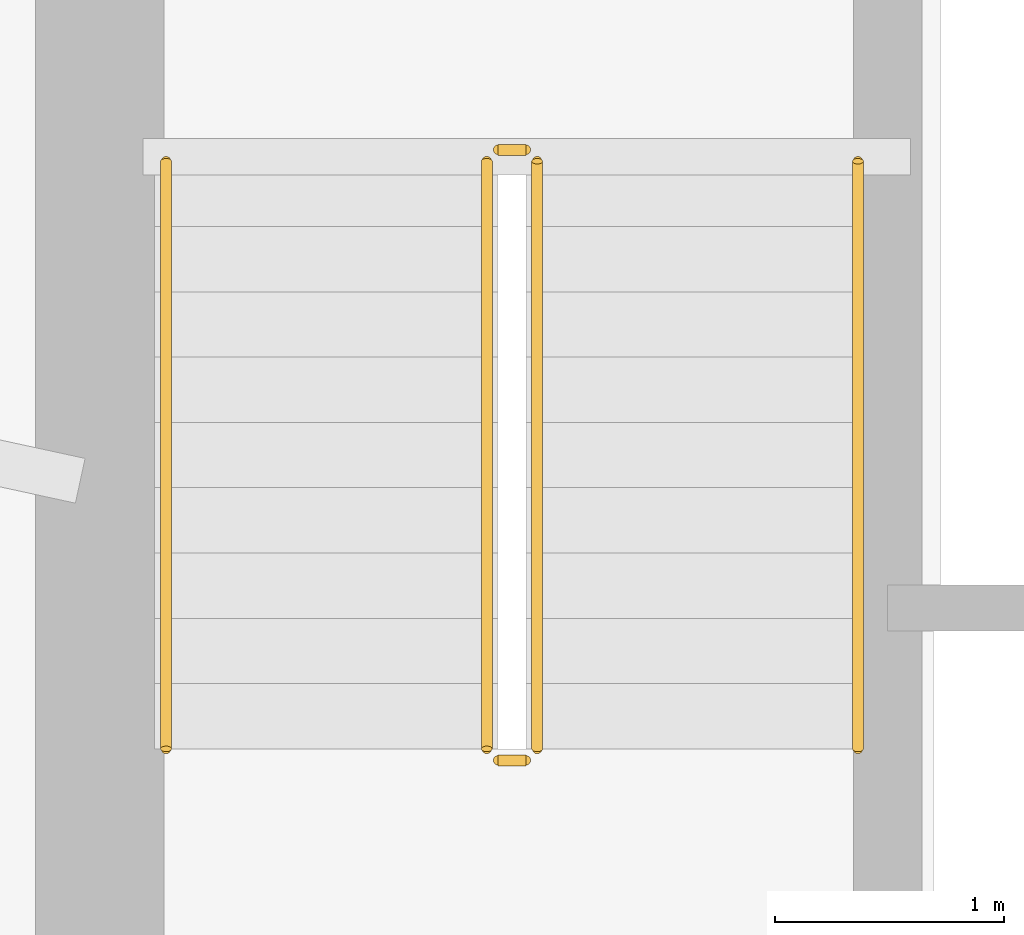
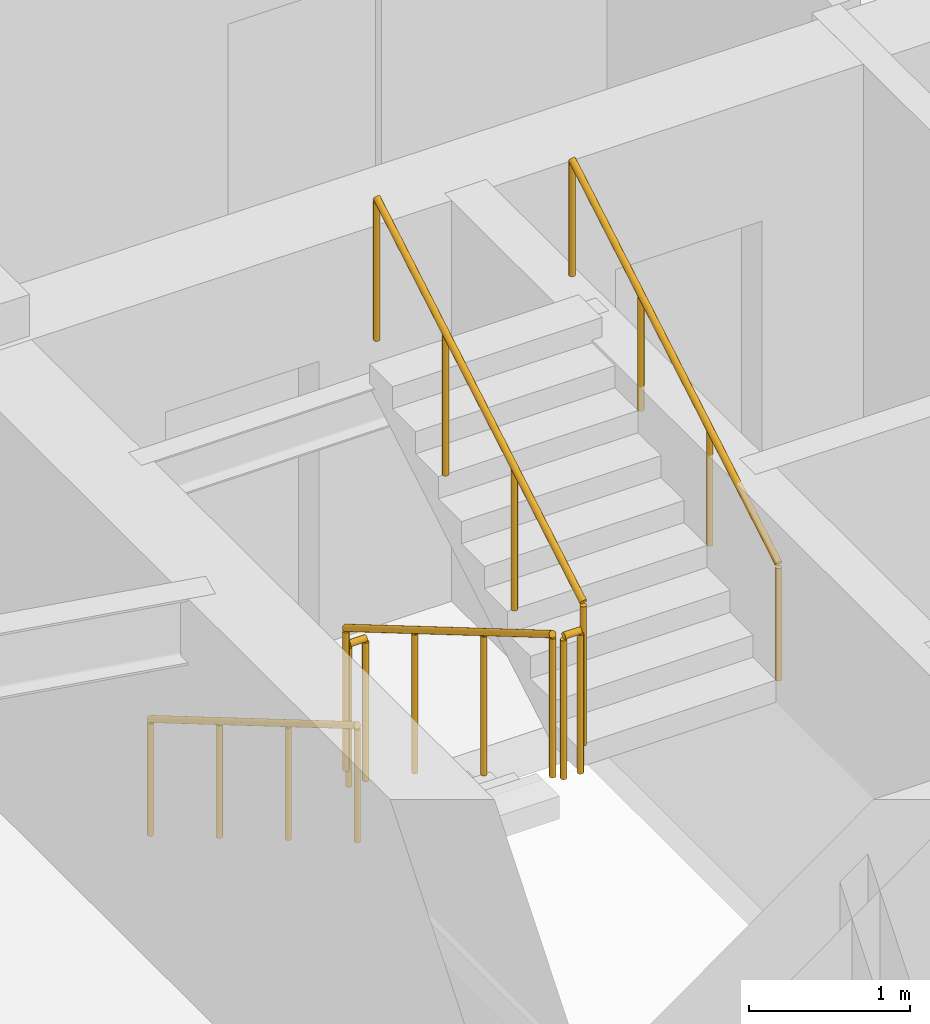
# One storey, part 20 of 22: 6 railings.
"""IFC4 building model written with IfcOpenShell, lengths in metres."""

from ifc_helpers import new_model, si_unit, direction, frame, origin, origin_2d, place, context, subcontext, project, spatial, circle, extrude, material, type_object, element, save


model = new_model("IFC4")

# Units and contexts
model_context = context("Model", 3, precision=1e-05, world=origin(), true_north=direction((0.0, 1.0)))
body_context = subcontext(model_context, "Body", "Model", "MODEL_VIEW")
ifc_project = project(units=[si_unit("LENGTHUNIT", "METRE"), si_unit("AREAUNIT", "SQUARE_METRE"), si_unit("VOLUMEUNIT", "CUBIC_METRE"), si_unit("PLANEANGLEUNIT", "RADIAN"), si_unit("MASSUNIT", "GRAM", prefix="KILO")], contexts=[model_context])

# Site, building, storey
site_placement = place(None, origin())
site = spatial("IfcSite", under=ifc_project, at=site_placement, CompositionType="ELEMENT")
building_placement = place(site_placement, origin())
building = spatial("IfcBuilding", under=site, at=building_placement, Name="Qobustan Lattice House", CompositionType="ELEMENT")
storey_placement = place(building_placement, frame((0.0, 0.0, 60.5)))
storey = spatial("IfcBuildingStorey", under=building, at=storey_placement, Name="L16", CompositionType="ELEMENT", Elevation=60.5)

# Railings
ifc_material_1 = material(Name="Brushed stainless steel handrail", Category="steel")
railing_type_1 = type_object("IfcRailingType", Name="RAL-HR-920", PredefinedType="HANDRAIL", material=ifc_material_1)
railing_1_placement = place(storey_placement, frame((-18.199951171875, 3.5, 0.16748046875)))
element("IfcRailing", 1, at=railing_1_placement, inside=storey, type_object=railing_type_1, Name="L16 ST-W1 stair handrail 1", PredefinedType="HANDRAIL", context=body_context, shape_type="SweptSolid", body=[
    extrude(circle(Radius=0.02392578125, at=origin_2d()), frame((0.0, 0.0, 0.8759765625), z_axis=(0.0, -0.862113467892, 0.50671527358), x_axis=(1.0, 0.0, 0.0)), (0.0, 0.0, 1.0), 2.97509765625),
    extrude(circle(Radius=0.02099609375, at=origin_2d()), origin(), (0.0, 0.0, 1.0), 0.851806640625),
    extrude(circle(Radius=0.02099609375, at=origin_2d()), frame((0.0, -0.85498046875, 0.50244140625)), (0.0, 0.0, 1.0), 0.851806640625),
    extrude(circle(Radius=0.02099609375, at=origin_2d()), frame((0.0, -1.7099609375, 1.005126953125)), (0.0, 0.0, 1.0), 0.851806640625),
    extrude(circle(Radius=0.02099609375, at=origin_2d()), frame((0.0, -2.56494140625, 1.507568359375)), (0.0, 0.0, 1.0), 0.851806640625),
])
railing_2_placement = place(storey_placement, frame((-15.179931640625, 0.93505859375, 1.842529296875)))
element("IfcRailing", 2, at=railing_2_placement, inside=storey, type_object=railing_type_1, Name="L16 ST-W1 stair handrail 2", PredefinedType="HANDRAIL", context=body_context, shape_type="SweptSolid", body=[
    extrude(circle(Radius=0.02392578125, at=origin_2d()), frame((0.0, 0.0, 0.8759765625), z_axis=(0.0, 0.862113467892, 0.50671527358), x_axis=(-1.0, 0.0, 0.0)), (0.0, 0.0, 1.0), 2.97509765625),
    extrude(circle(Radius=0.02099609375, at=origin_2d()), origin(), (0.0, 0.0, 1.0), 0.851806640625),
    extrude(circle(Radius=0.02099609375, at=origin_2d()), frame((0.0, 0.85498046875, 0.50244140625)), (0.0, 0.0, 1.0), 0.851806640625),
    extrude(circle(Radius=0.02099609375, at=origin_2d()), frame((0.0, 1.7099609375, 1.005126953125)), (0.0, 0.0, 1.0), 0.851806640625),
    extrude(circle(Radius=0.02099609375, at=origin_2d()), frame((0.0, 2.56494140625, 1.507568359375)), (0.0, 0.0, 1.0), 0.851806640625),
])
ifc_material_2 = material(Name="Painted galvanized steel guardrail", Category="steel")
railing_type_2 = type_object("IfcRailingType", Name="RAL-STG-1150", PredefinedType="GUARDRAIL", material=ifc_material_2)
railing_3_placement = place(storey_placement, frame((-16.800048828125, 3.5, 0.16748046875)))
element("IfcRailing", 3, at=railing_3_placement, inside=storey, type_object=railing_type_2, Name="L16 ST-W1 stair guard 1", PredefinedType="GUARDRAIL", context=body_context, shape_type="SweptSolid", body=[
    extrude(circle(Radius=0.02392578125, at=origin_2d()), frame((0.0, 0.0, 1.076171875), z_axis=(0.0, -0.862113467892, 0.50671527358), x_axis=(1.0, 0.0, 0.0)), (0.0, 0.0, 1.0), 2.97509765625),
    extrude(circle(Radius=0.02099609375, at=origin_2d()), origin(), (0.0, 0.0, 1.0), 1.052001953125),
    extrude(circle(Radius=0.02099609375, at=origin_2d()), frame((0.0, -0.85498046875, 0.50244140625)), (0.0, 0.0, 1.0), 1.052001953125),
    extrude(circle(Radius=0.02099609375, at=origin_2d()), frame((0.0, -1.7099609375, 1.005126953125)), (0.0, 0.0, 1.0), 1.052001953125),
    extrude(circle(Radius=0.02099609375, at=origin_2d()), frame((0.0, -2.56494140625, 1.507568359375)), (0.0, 0.0, 1.0), 1.052001953125),
])
railing_4_placement = place(storey_placement, frame((-16.75, 0.885009765625, 1.675048828125)))
element("IfcRailing", 4, at=railing_4_placement, inside=storey, type_object=railing_type_2, Name="L16 ST-W1 stair guard 2", PredefinedType="GUARDRAIL", context=body_context, shape_type="SweptSolid", body=[
    extrude(circle(Radius=0.02392578125, at=origin_2d()), frame((0.0, 0.0, 1.076171875), z_axis=(1.0, 0.0, 0.0), x_axis=(0.0, 1.0, 0.0)), (0.0, 0.0, 1.0), 0.1201171875),
    extrude(circle(Radius=0.02099609375, at=origin_2d()), origin(), (0.0, 0.0, 1.0), 1.052001953125),
    extrude(circle(Radius=0.02099609375, at=origin_2d()), frame((0.1201171875, 0.0, 0.0)), (0.0, 0.0, 1.0), 1.052001953125),
])
railing_5_placement = place(storey_placement, frame((-16.580078125, 0.93505859375, 1.842529296875)))
element("IfcRailing", 5, at=railing_5_placement, inside=storey, type_object=railing_type_2, Name="L16 ST-W1 stair guard 3", PredefinedType="GUARDRAIL", context=body_context, shape_type="SweptSolid", body=[
    extrude(circle(Radius=0.02392578125, at=origin_2d()), frame((0.0, 0.0, 1.076171875), z_axis=(0.0, 0.862113467892, 0.50671527358), x_axis=(-1.0, 0.0, 0.0)), (0.0, 0.0, 1.0), 2.97509765625),
    extrude(circle(Radius=0.02099609375, at=origin_2d()), origin(), (0.0, 0.0, 1.0), 1.052001953125),
    extrude(circle(Radius=0.02099609375, at=origin_2d()), frame((0.0, 0.85498046875, 0.50244140625)), (0.0, 0.0, 1.0), 1.052001953125),
    extrude(circle(Radius=0.02099609375, at=origin_2d()), frame((0.0, 1.7099609375, 1.005126953125)), (0.0, 0.0, 1.0), 1.052001953125),
    extrude(circle(Radius=0.02099609375, at=origin_2d()), frame((0.0, 2.56494140625, 1.507568359375)), (0.0, 0.0, 1.0), 1.052001953125),
])
railing_6_placement = place(storey_placement, frame((-16.75, 3.550048828125, 0.0)))
element("IfcRailing", 6, at=railing_6_placement, inside=storey, type_object=railing_type_2, Name="L16 ST-W1 stair guard 4", PredefinedType="GUARDRAIL", context=body_context, shape_type="SweptSolid", body=[
    extrude(circle(Radius=0.02392578125, at=origin_2d()), frame((0.0, 0.0, 1.076171875), z_axis=(1.0, 0.0, 0.0), x_axis=(0.0, 1.0, 0.0)), (0.0, 0.0, 1.0), 0.1201171875),
    extrude(circle(Radius=0.02099609375, at=origin_2d()), origin(), (0.0, 0.0, 1.0), 1.052001953125),
    extrude(circle(Radius=0.02099609375, at=origin_2d()), frame((0.1201171875, 0.0, 0.0)), (0.0, 0.0, 1.0), 1.052001953125),
])

save(model, "model.ifc")
